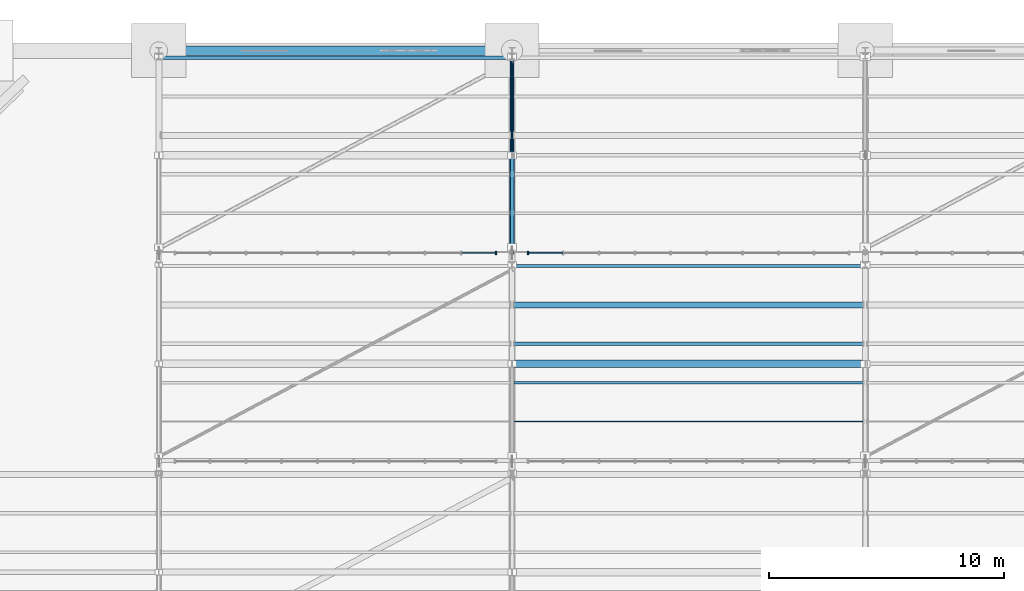
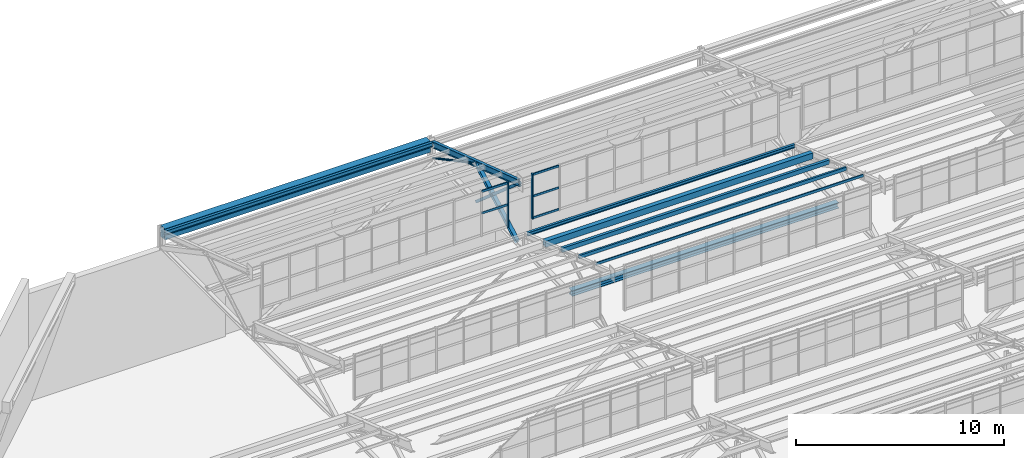
# One storey, part 130 of 285: 11 members, 8 beams, 2 elements without a shape of their own.
"""IFC4 building model written with IfcOpenShell, lengths in metres."""

from ifc_helpers import new_model, si_unit, direction, frame, origin, origin_2d, place, context, subcontext, project, spatial, rectangle, hollow_rectangle, hollow_circle, i_section, extrude, material, material_profile, profile_set, type_object, element, aggregate, save


model = new_model("IFC4")

# Units and contexts
model_context = context("Model", 3, precision=1e-05, world=origin(), true_north=direction((0.0, 1.0)))
body_context = subcontext(model_context, "Body", "Model", "MODEL_VIEW")
ifc_project = project(units=[si_unit("LENGTHUNIT", "METRE"), si_unit("AREAUNIT", "SQUARE_METRE"), si_unit("VOLUMEUNIT", "CUBIC_METRE"), si_unit("PLANEANGLEUNIT", "RADIAN"), si_unit("MASSUNIT", "GRAM", prefix="KILO")], contexts=[model_context])

# Site, building, storey
site_placement = place(None, origin())
site = spatial("IfcSite", under=ifc_project, at=site_placement, CompositionType="ELEMENT")
building_placement = place(site_placement, origin())
building = spatial("IfcBuilding", under=site, at=building_placement, Name="Solanera Park Tramway Depot", CompositionType="ELEMENT")
storey_placement = place(building_placement, origin())
storey = spatial("IfcBuildingStorey", under=building, at=storey_placement, Name="L00", CompositionType="ELEMENT", Elevation=0.0)

# Curtain wall, member
ifc_material_1 = material(Name="Bronze-anodised thermally broken aluminium curtain wall", Category="aluminium")
curtain_wall_type = type_object("IfcCurtainWallType", Name="Sawtooth Clerestory Monitor Curtain Wall", PredefinedType="NOTDEFINED", material=ifc_material_1)
curtain_wall_1_placement = place(storey_placement, origin())
curtain_wall_1 = element("IfcCurtainWall", 1, at=curtain_wall_1_placement, inside=storey, type_object=curtain_wall_type, Name="L00 Sawtooth Clerestory Monitor Curtain Wall #066", PredefinedType="NOTDEFINED")
ifc_material_2 = material(Name="Bronze-anodised structural aluminium 6063-T6", Category="aluminium")
ifc_material_profile_1 = material_profile(ifc_material_2, rectangle(XDim=0.06494140625, YDim=0.14990234375, at=origin_2d()), Name="Curtain Wall Mullion 65x150")
ifc_profile_set_1 = profile_set([ifc_material_profile_1], Name="Bronze-anodised structural aluminium 6063-T6")
member_type_1 = type_object("IfcMemberType", Name="Curtain Wall Mullion 65x150", PredefinedType="MULLION", material=ifc_profile_set_1)
member_1_placement = place(storey_placement, frame((29.3173828125, 135.39990234375, 7.75), z_axis=(0.0, 0.0, 1.0), x_axis=(1.0, 0.0, 0.0)))
member_1 = element("IfcMember", 2, at=member_1_placement, type_object=member_type_1, Name="CW-L00-066 Mullion 10", PredefinedType="MULLION", context=body_context, shape_type="SweptSolid", body=[
    extrude(rectangle(XDim=0.06494140625, YDim=0.14990234375, at=origin_2d()), origin(), (0.0, 0.0, 1.0), 2.6611328125),
])

curtain_wall_2_placement = place(storey_placement, origin())
curtain_wall_2 = element("IfcCurtainWall", 3, at=curtain_wall_2_placement, inside=storey, type_object=curtain_wall_type, Name="L00 Sawtooth Clerestory Monitor Curtain Wall #067", PredefinedType="NOTDEFINED")
member_2_placement = place(storey_placement, frame((30.6826171875, 135.39990234375, 7.75), z_axis=(0.0, 0.0, 1.0), x_axis=(1.0, 0.0, 0.0)))
member_2 = element("IfcMember", 4, at=member_2_placement, type_object=member_type_1, Name="CW-L00-067 Mullion 1", PredefinedType="MULLION", context=body_context, shape_type="SweptSolid", body=[
    extrude(rectangle(XDim=0.06494140625, YDim=0.14990234375, at=origin_2d()), origin(), (0.0, 0.0, 1.0), 2.6611328125),
])

# Member
ifc_material_3 = material(Name="Bronze-anodised structural aluminium 6063-T6", Category="aluminium")
ifc_material_profile_2 = material_profile(ifc_material_3, rectangle(XDim=0.06494140625, YDim=0.1201171875, at=origin_2d()), Name="Curtain Wall Transom 65x120")
ifc_profile_set_2 = profile_set([ifc_material_profile_2], Name="Bronze-anodised structural aluminium 6063-T6")
member_type_2 = type_object("IfcMemberType", Name="Curtain Wall Transom 65x120", PredefinedType="USERDEFINED", material=ifc_profile_set_2)
member_3_placement = place(storey_placement, frame((27.855712890625, 135.39990234375, 9.08056640625), z_axis=(1.0, 0.0, 0.0), x_axis=(0.0, 1.0, 0.0)))
member_3 = element("IfcMember", 5, at=member_3_placement, type_object=member_type_2, Name="CW-L00-066 Transom R2.C9", ObjectType="TRANSOM", PredefinedType="USERDEFINED", context=body_context, shape_type="SweptSolid", body=[
    extrude(rectangle(XDim=0.06494140625, YDim=0.1201171875, at=origin_2d()), origin(), (0.0, 0.0, 1.0), 1.433837890625),
])

member_4_placement = place(storey_placement, frame((27.855712890625, 135.39990234375, 10.351318359375), z_axis=(1.0, 0.0, 0.0), x_axis=(0.0, 1.0, 0.0)))
member_4 = element("IfcMember", 6, at=member_4_placement, type_object=member_type_2, Name="CW-L00-066 Transom R3.C9", ObjectType="TRANSOM", PredefinedType="USERDEFINED", context=body_context, shape_type="SweptSolid", body=[
    extrude(rectangle(XDim=0.06494140625, YDim=0.1201171875, at=origin_2d()), origin(), (0.0, 0.0, 1.0), 1.433837890625),
])

aggregate(curtain_wall_1, [member_1, member_3, member_4])

member_5_placement = place(storey_placement, frame((30.71044921875, 135.39990234375, 7.81005859375), z_axis=(1.0, 0.0, 0.0), x_axis=(0.0, 1.0, 0.0)))
member_5 = element("IfcMember", 7, at=member_5_placement, type_object=member_type_2, Name="CW-L00-067 Transom R1.C1", ObjectType="TRANSOM", PredefinedType="USERDEFINED", context=body_context, shape_type="SweptSolid", body=[
    extrude(rectangle(XDim=0.06494140625, YDim=0.1201171875, at=origin_2d()), origin(), (0.0, 0.0, 1.0), 1.433837890625),
])

member_6_placement = place(storey_placement, frame((30.71044921875, 135.39990234375, 9.08056640625), z_axis=(1.0, 0.0, 0.0), x_axis=(0.0, 1.0, 0.0)))
member_6 = element("IfcMember", 8, at=member_6_placement, type_object=member_type_2, Name="CW-L00-067 Transom R2.C1", ObjectType="TRANSOM", PredefinedType="USERDEFINED", context=body_context, shape_type="SweptSolid", body=[
    extrude(rectangle(XDim=0.06494140625, YDim=0.1201171875, at=origin_2d()), origin(), (0.0, 0.0, 1.0), 1.433837890625),
])

member_7_placement = place(storey_placement, frame((30.71044921875, 135.39990234375, 10.351318359375), z_axis=(1.0, 0.0, 0.0), x_axis=(0.0, 1.0, 0.0)))
member_7 = element("IfcMember", 9, at=member_7_placement, type_object=member_type_2, Name="CW-L00-067 Transom R3.C1", ObjectType="TRANSOM", PredefinedType="USERDEFINED", context=body_context, shape_type="SweptSolid", body=[
    extrude(rectangle(XDim=0.06494140625, YDim=0.1201171875, at=origin_2d()), origin(), (0.0, 0.0, 1.0), 1.433837890625),
])

aggregate(curtain_wall_2, [member_2, member_5, member_6, member_7])

# Beam
ifc_material_4 = material(Name="Concrete N40 (C40/50)", Category="concrete")
ifc_material_profile_3 = material_profile(ifc_material_4, rectangle(XDim=0.39990234375, YDim=0.64990234375, at=origin_2d()), Name="SPB 400x650")
ifc_profile_set_3 = profile_set([ifc_material_profile_3], Name="Concrete N40 (C40/50)")
beam_type_1 = type_object("IfcBeamType", Name="Perimeter Spandrel Beam SPB 400x650", PredefinedType="SPANDREL", material=ifc_profile_set_3)
beam_1_placement = place(storey_placement, frame((15.1201171875, 144.0, 7.175048828125), z_axis=(1.0, 0.0, 0.0), x_axis=(0.0, 1.0, 0.0)))
element("IfcBeam", 10, at=beam_1_placement, inside=storey, type_object=beam_type_1, Name="L00 Hall Eave Spandrel SPB 400x650 #0281", PredefinedType="SPANDREL", context=body_context, shape_type="SweptSolid", body=[
    extrude(rectangle(XDim=0.39990234375, YDim=0.64990234375, at=origin_2d()), origin(), (0.0, 0.0, 1.0), 14.759765625),
])

# Members
ifc_material_5 = material(Name="Steel AS/NZS 3679.1 Grade 350", Category="steel")
ifc_material_profile_4 = material_profile(ifc_material_5, i_section(OverallWidth=0.205078125, OverallDepth=0.209716796875, WebThickness=0.00927734375, FlangeThickness=0.01416015625, at=origin_2d()), Name="200UC59.5")
ifc_profile_set_4 = profile_set([ifc_material_profile_4], Name="Steel AS/NZS 3679.1 Grade 350")
member_type_3 = type_object("IfcMemberType", Name="Roof Gantry Compression Strut 200UC59.5", PredefinedType="STRUT", material=ifc_profile_set_4)
member_8_placement = place(storey_placement, frame((30.0, 135.64990234375, 6.5), z_axis=(0.0, 0.869215843308, 0.494432824297), x_axis=(-1.0, 0.0, 0.0)))
element("IfcMember", 11, at=member_8_placement, inside=storey, type_object=member_type_3, Name="Sawtooth ROOF TRUSS Strut 200UC59.5 #0406", PredefinedType="STRUT", context=body_context, shape_type="SweptSolid", body=[
    extrude(i_section(OverallWidth=0.205078125, OverallDepth=0.209716796875, WebThickness=0.00927734375, FlangeThickness=0.01416015625, at=origin_2d()), origin(), (0.0, 0.0, 1.0), 4.487060546875),
])
ifc_material_6 = material(Name="Steel AS/NZS 3679.1 Grade 350", Category="steel")
ifc_material_profile_5 = material_profile(ifc_material_6, i_section(OverallWidth=0.310546875, OverallDepth=0.3271484375, WebThickness=0.015625, FlangeThickness=0.02490234375, at=origin_2d()), Name="310UC158")
ifc_profile_set_5 = profile_set([ifc_material_profile_5], Name="Steel AS/NZS 3679.1 Grade 350")
member_type_4 = type_object("IfcMemberType", Name="Secondary Truss Chord 310UC158", PredefinedType="CHORD", material=ifc_profile_set_5)
member_9_placement = place(storey_placement, frame((30.087890625, 130.699951171875, 6.5), z_axis=(1.0, 0.0, 0.0), x_axis=(0.0, 1.0, 0.0)))
element("IfcMember", 12, at=member_9_placement, inside=storey, type_object=member_type_4, Name="Sawtooth Longitudinal Tie Chord 310UC158 #0393", PredefinedType="CHORD", context=body_context, shape_type="SweptSolid", body=[
    extrude(i_section(OverallWidth=0.310546875, OverallDepth=0.3271484375, WebThickness=0.015625, FlangeThickness=0.02490234375, at=origin_2d()), origin(), (0.0, 0.0, 1.0), 14.82421875),
])

# Beams
ifc_material_7 = material(Name="Steel AS/NZS 3679.1 Grade 350", Category="steel")
ifc_material_profile_6 = material_profile(ifc_material_7, i_section(OverallWidth=0.17138671875, OverallDepth=0.355712890625, WebThickness=0.00732421875, FlangeThickness=0.011474609375, at=origin_2d()), Name="360UB50.7")
ifc_profile_set_6 = profile_set([ifc_material_profile_6], Name="Steel AS/NZS 3679.1 Grade 350")
beam_type_2 = type_object("IfcBeamType", Name="Steel Beam 360UB50.7", PredefinedType="BEAM", material=ifc_profile_set_6)
beam_2_placement = place(storey_placement, frame((30.0, 135.39990234375, 10.10693359375), z_axis=(0.0, 0.948322229475, -0.317308917435), x_axis=(-1.0, 0.0, 0.0)))
element("IfcBeam", 13, at=beam_2_placement, inside=storey, type_object=beam_type_2, Name="Sawtooth ROOF TRUSS Top Rafter 360UB50.7 B10-T2", PredefinedType="BEAM", context=body_context, shape_type="SweptSolid", body=[
    extrude(i_section(OverallWidth=0.17138671875, OverallDepth=0.355712890625, WebThickness=0.00732421875, FlangeThickness=0.011474609375, at=origin_2d()), origin(), (0.0, 0.0, 1.0), 8.80517578125),
])
ifc_material_8 = material(Name="Steel AS/NZS 1163 Grade C350L0", Category="steel")
ifc_material_profile_7 = material_profile(ifc_material_8, hollow_rectangle(XDim=0.050048828125, YDim=0.14990234375, WallThickness=0.0048828125, at=origin_2d()), Name="150x50x5.0 RHS")
ifc_profile_set_7 = profile_set([ifc_material_profile_7], Name="Steel AS/NZS 1163 Grade C350L0")
beam_type_3 = type_object("IfcBeamType", Name="Steel Joist Purlin 150x50x5.0 RHS", PredefinedType="JOIST", material=ifc_profile_set_7)
beam_3_placement = place(storey_placement, frame((30.074951171875, 128.25, 9.654541015625), z_axis=(1.0, 0.0, 0.0), x_axis=(0.0, 1.0, 0.0)))
element("IfcBeam", 14, at=beam_3_placement, inside=storey, type_object=beam_type_3, Name="Sawtooth Roof Purlin 150x50x5.0 RHS B09.2", PredefinedType="JOIST", context=body_context, shape_type="SweptSolid", body=[
    extrude(hollow_rectangle(XDim=0.050048828125, YDim=0.14990234375, WallThickness=0.0048828125, at=origin_2d()), origin(), (0.0, 0.0, 1.0), 14.84716796875),
])
ifc_material_9 = material(Name="Steel AS/NZS 3679.1 Grade 350", Category="steel")
ifc_material_profile_8 = material_profile(ifc_material_9, i_section(OverallWidth=0.13330078125, OverallDepth=0.203125, WebThickness=0.005859375, FlangeThickness=0.0078125, at=origin_2d()), Name="200UB25.4")
ifc_profile_set_8 = profile_set([ifc_material_profile_8], Name="Steel AS/NZS 3679.1 Grade 350")
beam_type_4 = type_object("IfcBeamType", Name="Steel Joist Purlin 200UB25.4", PredefinedType="JOIST", material=ifc_profile_set_8)
beam_4_placement = place(storey_placement, frame((30.074951171875, 134.85009765625, 7.40576171875), z_axis=(1.0, 0.0, 0.0), x_axis=(0.0, 1.0, 0.0)))
element("IfcBeam", 15, at=beam_4_placement, inside=storey, type_object=beam_type_4, Name="Sawtooth Roof Purlin 200UB25.4 B09.6", PredefinedType="JOIST", context=body_context, shape_type="SweptSolid", body=[
    extrude(i_section(OverallWidth=0.13330078125, OverallDepth=0.203125, WebThickness=0.005859375, FlangeThickness=0.0078125, at=origin_2d()), origin(), (0.0, 0.0, 1.0), 14.84716796875),
])
ifc_material_10 = material(Name="Steel AS/NZS 1163 Grade C350L0", Category="steel")
ifc_material_profile_9 = material_profile(ifc_material_10, hollow_rectangle(XDim=0.10009765625, YDim=0.199951171875, WallThickness=0.006103515625, at=origin_2d()), Name="200x100x6.0 RHS")
ifc_profile_set_9 = profile_set([ifc_material_profile_9], Name="Steel AS/NZS 1163 Grade C350L0")
beam_type_5 = type_object("IfcBeamType", Name="Steel Joist Purlin 200x100x6.0 RHS", PredefinedType="JOIST", material=ifc_profile_set_9)
beam_5_placement = place(storey_placement, frame((30.074951171875, 129.89990234375, 9.069091796875), z_axis=(1.0, 0.0, 0.0), x_axis=(0.0, 1.0, 0.0)))
element("IfcBeam", 16, at=beam_5_placement, inside=storey, type_object=beam_type_5, Name="Sawtooth Roof Purlin 200x100x6.0 RHS B09.3", PredefinedType="JOIST", context=body_context, shape_type="SweptSolid", body=[
    extrude(hollow_rectangle(XDim=0.10009765625, YDim=0.199951171875, WallThickness=0.006103515625, at=origin_2d()), origin(), (0.0, 0.0, 1.0), 14.84716796875),
])
ifc_material_11 = material(Name="Steel AS/NZS 3679.1 Grade 350", Category="steel")
ifc_material_profile_10 = material_profile(ifc_material_11, i_section(OverallWidth=0.14599609375, OverallDepth=0.251708984375, WebThickness=0.006103515625, FlangeThickness=0.008544921875, at=origin_2d()), Name="250UB31.4")
ifc_profile_set_10 = profile_set([ifc_material_profile_10], Name="Steel AS/NZS 3679.1 Grade 350")
beam_type_6 = type_object("IfcBeamType", Name="Steel Joist Purlin 250UB31.4", PredefinedType="JOIST", material=ifc_profile_set_10)
beam_6_placement = place(storey_placement, frame((15.074951171875, 143.699951171875, 7.37939453125), z_axis=(1.0, 0.0, 0.0), x_axis=(0.0, 1.0, 0.0)))
element("IfcBeam", 17, at=beam_6_placement, inside=storey, type_object=beam_type_6, Name="Sawtooth Roof Purlin 250UB31.4 B10.6", PredefinedType="JOIST", context=body_context, shape_type="SweptSolid", body=[
    extrude(i_section(OverallWidth=0.14599609375, OverallDepth=0.251708984375, WebThickness=0.006103515625, FlangeThickness=0.008544921875, at=origin_2d()), origin(), (0.0, 0.0, 1.0), 14.84716796875),
])
ifc_material_12 = material(Name="Steel AS/NZS 1163 Grade C350L0", Category="steel")
ifc_material_profile_11 = material_profile(ifc_material_12, hollow_rectangle(XDim=0.14990234375, YDim=0.25, WallThickness=0.008056640625, at=origin_2d()), Name="250x150x8.0 RHS")
ifc_profile_set_11 = profile_set([ifc_material_profile_11], Name="Steel AS/NZS 1163 Grade C350L0")
beam_type_7 = type_object("IfcBeamType", Name="Steel Joist Purlin 250x150x8.0 RHS", PredefinedType="JOIST", material=ifc_profile_set_11)
beam_7_placement = place(storey_placement, frame((30.074951171875, 131.550048828125, 8.483642578125), z_axis=(1.0, 0.0, 0.0), x_axis=(0.0, 1.0, 0.0)))
element("IfcBeam", 18, at=beam_7_placement, inside=storey, type_object=beam_type_7, Name="Sawtooth Roof Purlin 250x150x8.0 RHS B09.4", PredefinedType="JOIST", context=body_context, shape_type="SweptSolid", body=[
    extrude(hollow_rectangle(XDim=0.14990234375, YDim=0.25, WallThickness=0.008056640625, at=origin_2d()), origin(), (0.0, 0.0, 1.0), 14.84716796875),
])
ifc_material_13 = material(Name="Steel AS/NZS 1163 Grade C350L0", Category="steel")
ifc_material_profile_12 = material_profile(ifc_material_13, hollow_rectangle(XDim=0.25, YDim=0.35009765625, WallThickness=0.010009765625, at=origin_2d()), Name="350x250x10.0 RHS")
ifc_profile_set_12 = profile_set([ifc_material_profile_12], Name="Steel AS/NZS 1163 Grade C350L0")
beam_type_8 = type_object("IfcBeamType", Name="Steel Joist Purlin 350x250x10.0 RHS", PredefinedType="JOIST", material=ifc_profile_set_12)
beam_8_placement = place(storey_placement, frame((30.074951171875, 133.199951171875, 7.864990234375), z_axis=(1.0, 0.0, 0.0), x_axis=(0.0, 1.0, 0.0)))
element("IfcBeam", 19, at=beam_8_placement, inside=storey, type_object=beam_type_8, Name="Sawtooth Roof Purlin 350x250x10.0 RHS B09.5", PredefinedType="JOIST", context=body_context, shape_type="SweptSolid", body=[
    extrude(hollow_rectangle(XDim=0.25, YDim=0.35009765625, WallThickness=0.010009765625, at=origin_2d()), origin(), (0.0, 0.0, 1.0), 14.84716796875),
])

# Members
ifc_material_14 = material(Name="Steel AS/NZS 1163 Grade C350L0", Category="steel")
ifc_material_profile_13 = material_profile(ifc_material_14, hollow_circle(Radius=0.05712890625, WallThickness=0.0048828125, at=origin_2d()), Name="114.3x4.8 CHS")
ifc_profile_set_13 = profile_set([ifc_material_profile_13], Name="Steel AS/NZS 1163 Grade C350L0")
member_type_5 = type_object("IfcMemberType", Name="Truss and Frame Brace 114.3x4.8 CHS", PredefinedType="BRACE", material=ifc_profile_set_13)
member_10_placement = place(storey_placement, frame((30.0, 143.75, 6.5), z_axis=(0.0, -0.884222622593, 0.467065684561), x_axis=(1.0, 0.0, 0.0)))
element("IfcMember", 20, at=member_10_placement, inside=storey, type_object=member_type_5, Name="Sawtooth ROOF TRUSS Diagonal 114.3x4.8 CHS #0405", PredefinedType="BRACE", context=body_context, shape_type="SweptSolid", body=[
    extrude(hollow_circle(Radius=0.05712890625, WallThickness=0.0048828125, at=origin_2d()), origin(), (0.0, 0.0, 1.0), 4.75),
])
ifc_material_15 = material(Name="Steel AS/NZS 1163 Grade C350L0", Category="steel")
ifc_material_profile_14 = material_profile(ifc_material_15, hollow_rectangle(XDim=0.14990234375, YDim=0.14990234375, WallThickness=0.006103515625, at=origin_2d()), Name="150x150x6.0 SHS")
ifc_profile_set_14 = profile_set([ifc_material_profile_14], Name="Steel AS/NZS 1163 Grade C350L0")
member_type_6 = type_object("IfcMemberType", Name="Truss and Frame Brace 150x150x6.0 SHS", PredefinedType="BRACE", material=ifc_profile_set_14)
member_11_placement = place(storey_placement, frame((30.0, 139.550048828125, 6.5), z_axis=(0.0, -0.754775645554, 0.655983021791), x_axis=(1.0, 0.0, 0.0)))
element("IfcMember", 21, at=member_11_placement, inside=storey, type_object=member_type_6, Name="Sawtooth ROOF TRUSS Web Brace 150x150x6.0 SHS #0404", PredefinedType="BRACE", context=body_context, shape_type="SweptSolid", body=[
    extrude(hollow_rectangle(XDim=0.14990234375, YDim=0.14990234375, WallThickness=0.006103515625, at=origin_2d()), origin(), (0.0, 0.0, 1.0), 5.49853515625),
])

save(model, "model.ifc")
